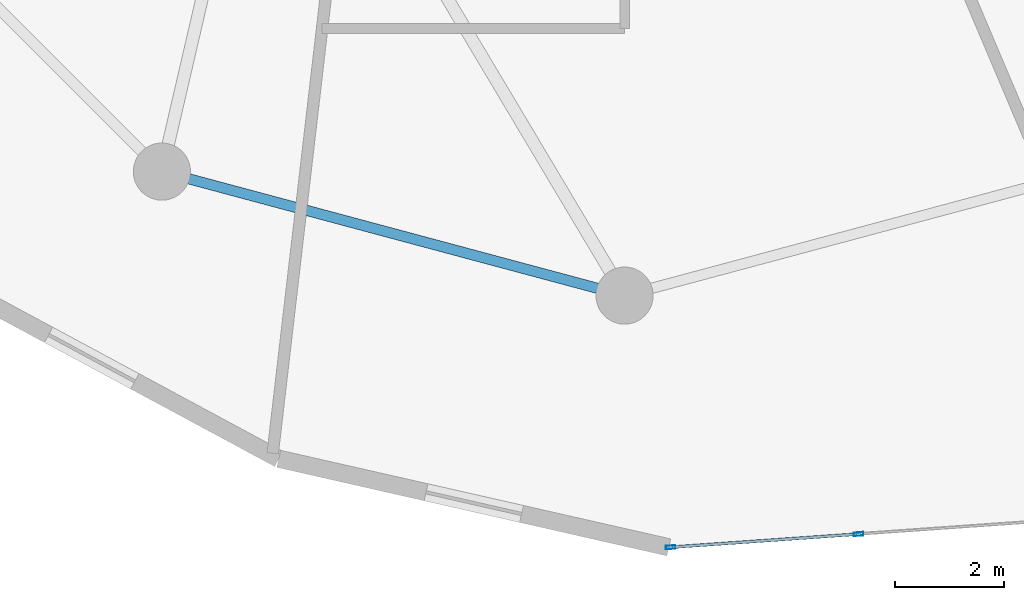
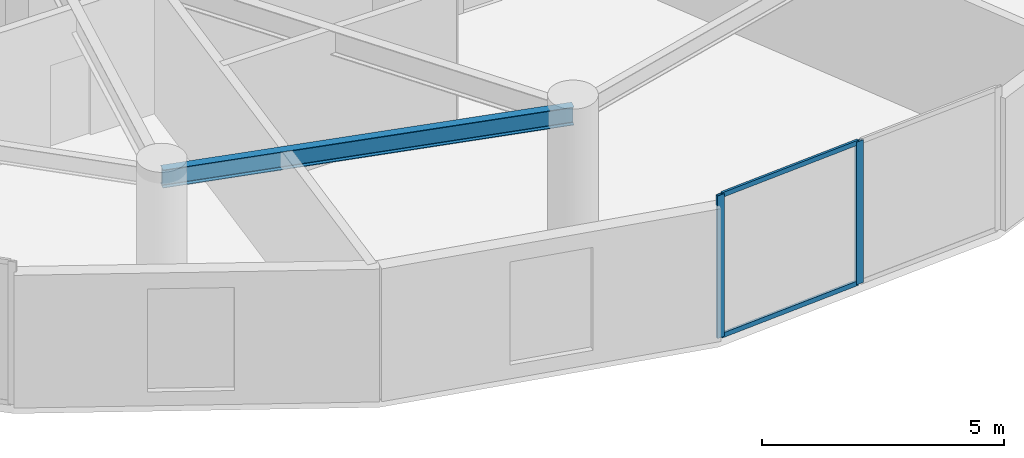
# One storey, part 3 of 25: 4 members, 1 beam, 1 element without a shape of its own.
"""IFC4 building model written with IfcOpenShell, lengths in metres."""

from ifc_helpers import new_model, si_unit, direction, frame, origin, origin_2d, place, context, subcontext, project, spatial, hollow_rectangle, i_section, extrude, source, transform, mapped, material, layer, layer_set, material_profile, profile_set, type_object, element, aggregate, save


model = new_model("IFC4")

# Units and contexts
model_context = context("Model", 3, precision=1e-05, world=origin(), true_north=direction((0.0, 1.0)))
body_context = subcontext(model_context, "Body", "Model", "MODEL_VIEW")
ifc_project = project(units=[si_unit("LENGTHUNIT", "METRE"), si_unit("AREAUNIT", "SQUARE_METRE"), si_unit("VOLUMEUNIT", "CUBIC_METRE"), si_unit("PLANEANGLEUNIT", "RADIAN"), si_unit("MASSUNIT", "GRAM", prefix="KILO")], contexts=[model_context])

# Site, building, storey
site_placement = place(None, origin())
site = spatial("IfcSite", under=ifc_project, at=site_placement, CompositionType="ELEMENT")
building_placement = place(site_placement, origin())
building = spatial("IfcBuilding", under=site, at=building_placement, Name="Solvirekh Grand Hotel", CompositionType="ELEMENT")
storey_placement = place(building_placement, frame((0.0, 0.0, 120.60009765625)))
storey = spatial("IfcBuildingStorey", under=building, at=storey_placement, Name="L30", CompositionType="ELEMENT", Elevation=120.60009765625)

# Beam
ifc_material_1 = material(Name="Steel S355", Category="steel")
ifc_material_profile_1 = material_profile(ifc_material_1, i_section(OverallWidth=0.18994140625, OverallDepth=0.45703125, WebThickness=0.009033203125, FlangeThickness=0.013916015625, FilletRadius=0.012939453125, at=origin_2d()), Name="W460X74")
ifc_profile_set_1 = profile_set([ifc_material_profile_1], Name="Steel S355")
beam_type = type_object("IfcBeamType", Name="Spandrel_Ring_W460", PredefinedType="SPANDREL", material=ifc_profile_set_1)
beam_placement = place(storey_placement, frame((-8.5, -14.721923828125, 3.121826171875), z_axis=(0.965911391906, -0.258872908946, 0.0), x_axis=(0.258872908946, 0.965911391906, 0.0)))
element("IfcBeam", 1, at=beam_placement, inside=storey, type_object=beam_type, Name="L30 perimeter spandrel beam 9", PredefinedType="SPANDREL", context=body_context, shape_type="SweptSolid", body=[
    extrude(i_section(OverallWidth=0.18994140625, OverallDepth=0.45703125, WebThickness=0.009033203125, FlangeThickness=0.013916015625, FilletRadius=0.012939453125, at=origin_2d()), origin(), (0.0, 0.0, 1.0), 8.800048828125),
])

# Curtain wall, members
ifc_material_2 = material(Name="Anodized Bronze Aluminium 6063-T6", Category="aluminium")
ifc_layer = layer(ifc_material_2, 0.175048828125)
ifc_layer_set = layer_set([ifc_layer], Name="Anodized Bronze Aluminium 6063-T6")
curtain_wall_type = type_object("IfcCurtainWallType", Name="CW_Sys3_MidZoneFlushBronzeCW", PredefinedType="NOTDEFINED", material=ifc_layer_set)
curtain_wall_placement = place(storey_placement, origin())
curtain_wall = element("IfcCurtainWall", 2, at=curtain_wall_placement, inside=storey, type_object=curtain_wall_type, Name="L30 unitised bronze-glass curtain wall CW-L30-C18", PredefinedType="NOTDEFINED")
ifc_material_profile_2 = material_profile(ifc_material_2, hollow_rectangle(XDim=0.06494140625, YDim=0.175048828125, WallThickness=0.0048828125, at=origin_2d()), Name="ALU RHS 175X65X5")
ifc_profile_set_2 = profile_set([ifc_material_profile_2], Name="Anodized Bronze Aluminium 6063-T6")
member_type_1 = type_object("IfcMemberType", Name="CWMullion_Sys3", PredefinedType="MULLION", material=ifc_profile_set_2)
shared_shape_1 = source(origin(), body_context, "Body", "SweptSolid", [
    extrude(hollow_rectangle(XDim=0.06494140625, YDim=0.175048828125, WallThickness=0.0048828125, at=origin_2d()), origin(), (0.0, 0.0, 1.0), 3.599853515625),
])
member_1_placement = place(storey_placement, frame((0.845458984375, -21.624755859375, 0.0), z_axis=(0.0, 0.0, 1.0), x_axis=(-0.070250562862, 0.99752937722, 0.0)))
member_1 = element("IfcMember", 3, at=member_1_placement, type_object=member_type_1, Name="U03 mullion 1", PredefinedType="MULLION", context=body_context, shape_type="MappedRepresentation", body=[
    mapped(shared_shape_1, transform((0.0, 0.0, 0.0), x_axis=(1.0, 0.0, 0.0), y_axis=(0.0, 1.0, 0.0), z_axis=(0.0, 0.0, 1.0), scale=1.0)),
])
member_2_placement = place(storey_placement, frame((4.299072265625, -21.381591796875, 0.0), z_axis=(0.0, 0.0, 1.0), x_axis=(-0.070250562862, 0.99752937722, 0.0)))
member_2 = element("IfcMember", 4, at=member_2_placement, type_object=member_type_1, Name="U03 mullion 2", PredefinedType="MULLION", context=body_context, shape_type="MappedRepresentation", body=[
    mapped(shared_shape_1, transform((0.0, 0.0, 0.0), x_axis=(1.0, 0.0, 0.0), y_axis=(0.0, 1.0, 0.0), z_axis=(0.0, 0.0, 1.0), scale=1.0)),
])
ifc_material_profile_3 = material_profile(ifc_material_2, hollow_rectangle(XDim=0.054931640625, YDim=0.1201171875, WallThickness=0.00390625, at=origin_2d()), Name="ALU RHS 120X55X4")
ifc_profile_set_3 = profile_set([ifc_material_profile_3], Name="Anodized Bronze Aluminium 6063-T6")
member_type_2 = type_object("IfcMemberType", Name="CWTransom_Sys3", PredefinedType="USERDEFINED", material=ifc_profile_set_3)
shared_shape_2 = source(origin(), body_context, "Body", "SweptSolid", [
    extrude(hollow_rectangle(XDim=0.054931640625, YDim=0.1201171875, WallThickness=0.00390625, at=origin_2d()), origin(), (0.0, 0.0, 1.0), 3.39697265625),
])
member_3_placement = place(storey_placement, frame((0.8779296875, -21.622314453125, 0.02734375), z_axis=(0.997531858637, 0.070215318868, 0.0), x_axis=(-0.070215318868, 0.997531858637, 0.0)))
member_3 = element("IfcMember", 5, at=member_3_placement, type_object=member_type_2, Name="U03 transom 1.1", ObjectType="TRANSOM", PredefinedType="USERDEFINED", context=body_context, shape_type="MappedRepresentation", body=[
    mapped(shared_shape_2, transform((0.0, 0.0, 0.0), x_axis=(1.0, 0.0, 0.0), y_axis=(0.0, 1.0, 0.0), z_axis=(0.0, 0.0, 1.0), scale=1.0)),
])
member_4_placement = place(storey_placement, frame((0.8779296875, -21.622314453125, 3.572509765625), z_axis=(0.997531858637, 0.070215318868, 0.0), x_axis=(-0.070215318868, 0.997531858637, 0.0)))
member_4 = element("IfcMember", 6, at=member_4_placement, type_object=member_type_2, Name="U03 transom 1.2", ObjectType="TRANSOM", PredefinedType="USERDEFINED", context=body_context, shape_type="MappedRepresentation", body=[
    mapped(shared_shape_2, transform((0.0, 0.0, 0.0), x_axis=(1.0, 0.0, 0.0), y_axis=(0.0, 1.0, 0.0), z_axis=(0.0, 0.0, 1.0), scale=1.0)),
])
aggregate(curtain_wall, [member_1, member_2, member_3, member_4])

save(model, "model.ifc")
